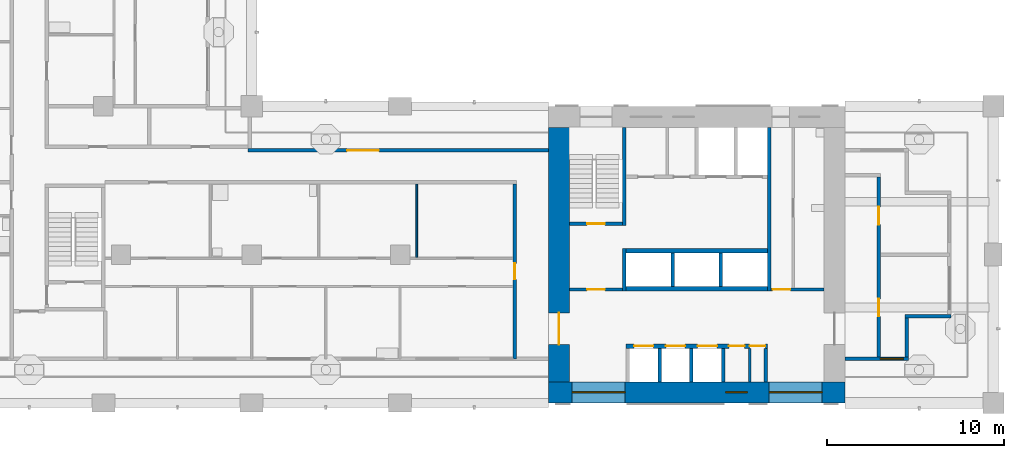
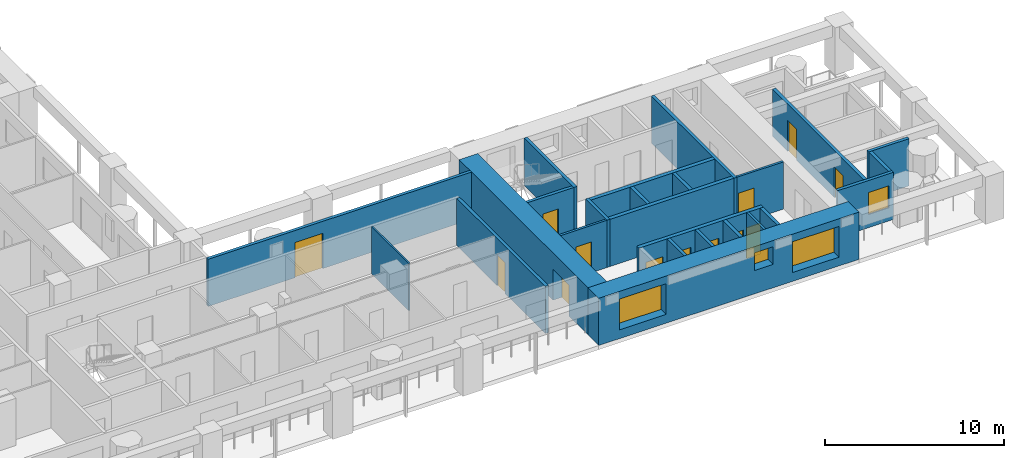
# One storey, part 5 of 18: 25 walls, 13 doors, 4 windows, 17 openings.
"""IFC4 building model written with IfcOpenShell, lengths in metres."""

from ifc_helpers import new_model, si_unit, direction, frame, frame_2d, origin, place, context, subcontext, project, spatial, rectangle, extrude, material, layer, layer_set, type_object, element, fill, save


model = new_model("IFC4")

# Units and contexts
model_context = context("Model", 3, precision=1e-05, world=origin(), true_north=direction((0.0, 1.0)))
body_context = subcontext(model_context, "Body", "Model", "MODEL_VIEW")
ifc_project = project(units=[si_unit("LENGTHUNIT", "METRE"), si_unit("AREAUNIT", "SQUARE_METRE"), si_unit("VOLUMEUNIT", "CUBIC_METRE"), si_unit("PLANEANGLEUNIT", "RADIAN"), si_unit("MASSUNIT", "GRAM", prefix="KILO")], contexts=[model_context])

# Site, building, storey
site_placement = place(None, origin())
site = spatial("IfcSite", under=ifc_project, at=site_placement, CompositionType="ELEMENT")
building_placement = place(site_placement, origin())
building = spatial("IfcBuilding", under=site, at=building_placement, Name="Vermilion Gate Residences", CompositionType="ELEMENT")
storey_placement = place(building_placement, frame((0.0, 0.0, 105.699951171875)))
storey = spatial("IfcBuildingStorey", under=building, at=storey_placement, Name="L26", CompositionType="ELEMENT", Elevation=105.699951171875)

# Wall
ifc_material_1 = material(Name="Masonry blockwork", Category="masonry")
ifc_layer_1 = layer(ifc_material_1, 0.14990234375)
ifc_layer_set_1 = layer_set([ifc_layer_1], Name="BLOCKWORK PARTITION 150 EI 120")
wall_type_1 = type_object("IfcWallType", Name="BLOCKWORK PARTITION 150 EI 120", PredefinedType="PARTITIONING", material=ifc_layer_set_1)
wall_1_placement = place(storey_placement, frame((53.407470703125, 9.60009765625, 0.0), z_axis=(0.0, 0.0, 1.0), x_axis=(0.0, 1.0, 0.0)))
element("IfcWall", 1, at=wall_1_placement, inside=storey, type_object=wall_type_1, Name="Core room partition A26-SR-P0", PredefinedType="PARTITIONING", context=body_context, shape_type="SweptSolid", body=[
    extrude(rectangle(XDim=1.89990234375, YDim=0.14990234375, at=frame_2d((0.949951171875, 0.0))), origin(), (0.0, 0.0, 1.0), 3.219970703125),
])

# Wall, opening, door
wall_2_placement = place(storey_placement, frame((43.199951171875, 14.824951171875, 0.0), z_axis=(0.0, 0.0, 1.0), x_axis=(1.0, 0.0, 0.0)))
wall_2 = element("IfcWall", 2, at=wall_2_placement, inside=storey, type_object=wall_type_1, Name="Core room partition A26-VW-S", PredefinedType="PARTITIONING", context=body_context, shape_type="SweptSolid", body=[
    extrude(rectangle(XDim=3.0, YDim=0.14990234375, at=frame_2d((1.5, 0.0))), origin(), (0.0, 0.0, 1.0), 3.219970703125),
])
opening_1_placement = place(wall_2_placement, frame((1.0, 0.0, 0.0)))
opening_1 = element("IfcOpeningElement", 3, at=opening_1_placement, cuts=wall_2, Name="Opening DK26012", PredefinedType="OPENING", context=body_context, shape_type="SweptSolid", body=[
    extrude(rectangle(XDim=1.0, YDim=2.10009765625, at=frame_2d((0.5, 1.050048828125))), frame((0.0, 0.0849609375, 0.0), z_axis=(0.0, -1.0, 0.0), x_axis=(1.0, 0.0, 0.0)), (0.0, 0.0, 1.0), 0.169921875),
])
ifc_material_2 = material(Name="Steel", Category="steel")
door_type_1 = type_object("IfcDoorType", Name="FIRE DOOR FD60 1000 X 2100", OperationType="SINGLE_SWING_LEFT", PredefinedType="DOOR", material=ifc_material_2)
door_1_placement = place(opening_1_placement, frame((1.0, 0.0, 0.0), z_axis=(0.0, 0.0, 1.0), x_axis=(-1.0, 0.0, 0.0)))
door_1 = element("IfcDoor", 4, at=door_1_placement, inside=storey, type_object=door_type_1, Name="Stair vestibule door A26", OperationType="SINGLE_SWING_RIGHT", OverallHeight=2.10009765625, OverallWidth=1.0, PredefinedType="DOOR", context=body_context, shape_type="SweptSolid", body=[
    extrude(rectangle(XDim=1.0, YDim=2.10009765625, at=frame_2d((0.5, 1.050048828125))), frame((0.0, 0.02490234375, 0.0), z_axis=(0.0, -1.0, 0.0), x_axis=(1.0, 0.0, 0.0)), (0.0, 0.0, 1.0), 0.050048828125),
])
fill(opening_1, door_1)

wall_3_placement = place(storey_placement, frame((54.60009765625, 14.824951171875, 0.0), z_axis=(0.0, 0.0, 1.0), x_axis=(1.0, 0.0, 0.0)))
wall_3 = element("IfcWall", 5, at=wall_3_placement, inside=storey, type_object=wall_type_1, Name="Core room partition A26-ES-S", PredefinedType="PARTITIONING", context=body_context, shape_type="SweptSolid", body=[
    extrude(rectangle(XDim=3.0, YDim=0.14990234375, at=frame_2d((1.5, 0.0))), origin(), (0.0, 0.0, 1.0), 3.219970703125),
])
opening_2_placement = place(wall_3_placement, frame((0.10009765625, 0.0, 0.0)))
opening_2 = element("IfcOpeningElement", 6, at=opening_2_placement, cuts=wall_3, Name="Opening DK26014", PredefinedType="OPENING", context=body_context, shape_type="SweptSolid", body=[
    extrude(rectangle(XDim=1.0, YDim=2.10009765625, at=frame_2d((0.5, 1.050048828125))), frame((0.0, 0.0849609375, 0.0), z_axis=(0.0, -1.0, 0.0), x_axis=(1.0, 0.0, 0.0)), (0.0, 0.0, 1.0), 0.169921875),
])
door_2_placement = place(opening_2_placement, frame((1.0, 0.0, 0.0), z_axis=(0.0, 0.0, 1.0), x_axis=(-1.0, 0.0, 0.0)))
door_2 = element("IfcDoor", 7, at=door_2_placement, inside=storey, type_object=door_type_1, Name="Service corridor door A26", OperationType="SINGLE_SWING_LEFT", OverallHeight=2.10009765625, OverallWidth=1.0, PredefinedType="DOOR", context=body_context, shape_type="SweptSolid", body=[
    extrude(rectangle(XDim=1.0, YDim=2.10009765625, at=frame_2d((0.5, 1.050048828125))), frame((0.0, 0.02490234375, 0.0), z_axis=(0.0, -1.0, 0.0), x_axis=(1.0, 0.0, 0.0)), (0.0, 0.0, 1.0), 0.050048828125),
])
fill(opening_2, door_2)

# Wall, opening, window
ifc_material_3 = material(Name="Insulated steel stud wall with terracotta rainscreen", Category="masonry")
ifc_layer_2 = layer(ifc_material_3, 0.199951171875)
ifc_layer_set_2 = layer_set([ifc_layer_2], Name="EXTERNAL WALL 200 TERRACOTTA RAINSCREEN")
wall_type_2 = type_object("IfcWallType", Name="EXTERNAL WALL 200 TERRACOTTA RAINSCREEN", PredefinedType="SOLIDWALL", material=ifc_layer_set_2)
wall_4_placement = place(storey_placement, frame((58.800048828125, 10.89990234375, 0.0), z_axis=(0.0, 0.0, 1.0), x_axis=(1.0, 0.0, 0.0)))
wall_4 = element("IfcWall", 8, at=wall_4_placement, inside=storey, type_object=wall_type_2, Name="External wall", PredefinedType="SOLIDWALL", context=body_context, shape_type="SweptSolid", body=[
    extrude(rectangle(XDim=3.599853515625, YDim=0.199951171875, at=frame_2d((1.7998046875, 0.0))), origin(), (0.0, 0.0, 1.0), 3.219970703125),
])
opening_3_placement = place(wall_4_placement, frame((2.0, 0.0, 0.89990234375)))
opening_3 = element("IfcOpeningElement", 9, at=opening_3_placement, cuts=wall_4, Name="Opening WE26020", PredefinedType="OPENING", context=body_context, shape_type="SweptSolid", body=[
    extrude(rectangle(XDim=1.300048828125, YDim=1.5, at=frame_2d((0.64990234375, 0.75))), frame((0.0, 0.10986328125, 0.0), z_axis=(0.0, -1.0, 0.0), x_axis=(1.0, 0.0, 0.0)), (0.0, 0.0, 1.0), 0.219970703125),
])
ifc_material_4 = material(Name="Aluminium and clear glass", Category="aluminium")
window_type_1 = type_object("IfcWindowType", Name="WINDOW 1300 X 1500", PartitioningType="SINGLE_PANEL", PredefinedType="WINDOW", material=ifc_material_4)
window_1_placement = place(opening_3_placement, origin())
window_1 = element("IfcWindow", 10, at=window_1_placement, inside=storey, type_object=window_type_1, Name="Window", OverallHeight=1.5, OverallWidth=1.300048828125, PartitioningType="SINGLE_PANEL", PredefinedType="WINDOW", context=body_context, shape_type="SweptSolid", body=[
    extrude(rectangle(XDim=1.300048828125, YDim=1.5, at=frame_2d((0.64990234375, 0.75))), frame((0.0, 0.030029296875, 0.0), z_axis=(0.0, -1.0, 0.0), x_axis=(1.0, 0.0, 0.0)), (0.0, 0.0, 1.0), 0.06005859375),
])
fill(opening_3, window_1)

# Walls
wall_5_placement = place(storey_placement, frame((62.300048828125, 11.0, 0.0), z_axis=(0.0, 0.0, 1.0), x_axis=(0.0, 1.0, 0.0)))
element("IfcWall", 11, at=wall_5_placement, inside=storey, type_object=wall_type_2, Name="External wall", PredefinedType="SOLIDWALL", context=body_context, shape_type="SweptSolid", body=[
    extrude(rectangle(XDim=2.199951171875, YDim=0.199951171875, at=frame_2d((1.10009765625, 0.0))), origin(), (0.0, 0.0, 1.0), 3.219970703125),
])
wall_6_placement = place(storey_placement, frame((62.199951171875, 13.300048828125, 0.0), z_axis=(0.0, 0.0, 1.0), x_axis=(1.0, 0.0, 0.0)))
element("IfcWall", 12, at=wall_6_placement, inside=storey, type_object=wall_type_2, Name="External wall", PredefinedType="SOLIDWALL", context=body_context, shape_type="SweptSolid", body=[
    extrude(rectangle(XDim=2.60009765625, YDim=0.199951171875, at=frame_2d((1.300048828125, 0.0))), origin(), (0.0, 0.0, 1.0), 3.219970703125),
])

# Wall, opening, door
wall_7_placement = place(storey_placement, frame((42.0, 22.699951171875, 0.0), z_axis=(0.0, 0.0, 1.0), x_axis=(-1.0, 0.0, 0.0)))
wall_7 = element("IfcWall", 13, at=wall_7_placement, inside=storey, type_object=wall_type_2, Name="External wall", PredefinedType="SOLIDWALL", context=body_context, shape_type="SweptSolid", body=[
    extrude(rectangle(XDim=17.0, YDim=0.199951171875, at=frame_2d((8.5, 0.0))), origin(), (0.0, 0.0, 1.0), 3.219970703125),
])
opening_4_placement = place(wall_7_placement, frame((9.60009765625, 0.0, 0.0)))
opening_4 = element("IfcOpeningElement", 14, at=opening_4_placement, cuts=wall_7, Name="Opening DE26029", PredefinedType="OPENING", context=body_context, shape_type="SweptSolid", body=[
    extrude(rectangle(XDim=1.800048828125, YDim=2.39990234375, at=frame_2d((0.89990234375, 1.199951171875))), frame((0.0, 0.10986328125, 0.0), z_axis=(0.0, -1.0, 0.0), x_axis=(1.0, 0.0, 0.0)), (0.0, 0.0, 1.0), 0.219970703125),
])
ifc_material_5 = material(Name="Aluminium and clear glass", Category="aluminium")
door_type_2 = type_object("IfcDoorType", Name="GLAZED EXTERNAL DOOR 1800 X 2400", OperationType="DOUBLE_DOOR_SINGLE_SWING", PredefinedType="DOOR", material=ifc_material_5)
door_3_placement = place(opening_4_placement, frame((1.800048828125, 0.0, 0.0), z_axis=(0.0, 0.0, 1.0), x_axis=(-1.0, 0.0, 0.0)))
door_3 = element("IfcDoor", 15, at=door_3_placement, inside=storey, type_object=door_type_2, Name="Gallery door", OperationType="DOUBLE_DOOR_SINGLE_SWING", OverallHeight=2.39990234375, OverallWidth=1.800048828125, PredefinedType="DOOR", context=body_context, shape_type="SweptSolid", body=[
    extrude(rectangle(XDim=1.800048828125, YDim=2.39990234375, at=frame_2d((0.89990234375, 1.199951171875))), frame((0.0, 0.02490234375, 0.0), z_axis=(0.0, -1.0, 0.0), x_axis=(1.0, 0.0, 0.0)), (0.0, 0.0, 1.0), 0.050048828125),
])
fill(opening_4, door_3)

# Wall
ifc_material_6 = material(Name="Plasterboard on steel studs", Category="steel")
ifc_layer_3 = layer(ifc_material_6, 0.10009765625)
ifc_layer_set_3 = layer_set([ifc_layer_3], Name="PARTITION 100")
wall_type_3 = type_object("IfcWallType", Name="PARTITION 100", PredefinedType="PARTITIONING", material=ifc_layer_set_3)
wall_8_placement = place(storey_placement, frame((34.550048828125, 16.64990234375, 0.0), z_axis=(0.0, 0.0, 1.0), x_axis=(0.0, 1.0, 0.0)))
element("IfcWall", 16, at=wall_8_placement, inside=storey, type_object=wall_type_3, Name="Partition", PredefinedType="PARTITIONING", context=body_context, shape_type="SweptSolid", body=[
    extrude(rectangle(XDim=4.150146484375, YDim=0.10009765625, at=frame_2d((2.0751953125, 0.0))), origin(), (0.0, 0.0, 1.0), 3.219970703125),
])

# Wall, opening, door
ifc_material_7 = material(Name="Fire-rated plasterboard on steel studs", Category="steel")
ifc_layer_4 = layer(ifc_material_7, 0.199951171875)
ifc_layer_set_4 = layer_set([ifc_layer_4], Name="PARTY WALL 200 EI 120")
wall_type_4 = type_object("IfcWallType", Name="PARTY WALL 200 EI 120", PredefinedType="PARTITIONING", material=ifc_layer_set_4)
wall_9_placement = place(storey_placement, frame((40.10009765625, 10.89990234375, 0.0), z_axis=(0.0, 0.0, 1.0), x_axis=(0.0, 1.0, 0.0)))
wall_9 = element("IfcWall", 17, at=wall_9_placement, inside=storey, type_object=wall_type_4, Name="Party and corridor wall", PredefinedType="PARTITIONING", context=body_context, shape_type="SweptSolid", body=[
    extrude(rectangle(XDim=9.900146484375, YDim=0.199951171875, at=frame_2d((4.9501953125, 0.0))), origin(), (0.0, 0.0, 1.0), 3.219970703125),
])
opening_5_placement = place(wall_9_placement, frame((4.5, 0.0, 0.0)))
opening_5 = element("IfcOpeningElement", 18, at=opening_5_placement, cuts=wall_9, Name="Opening DA25041", PredefinedType="OPENING", context=body_context, shape_type="SweptSolid", body=[
    extrude(rectangle(XDim=0.89990234375, YDim=2.10009765625, at=frame_2d((0.449951171875, 1.050048828125))), frame((0.0, 0.10986328125, 0.0), z_axis=(0.0, -1.0, 0.0), x_axis=(1.0, 0.0, 0.0)), (0.0, 0.0, 1.0), 0.219970703125),
])
ifc_material_8 = material(Name="Timber", Category="wood")
door_type_3 = type_object("IfcDoorType", Name="INTERIOR DOOR 900 X 2100", OperationType="SINGLE_SWING_LEFT", PredefinedType="DOOR", material=ifc_material_8)
door_4_placement = place(opening_5_placement, origin())
door_4 = element("IfcDoor", 19, at=door_4_placement, inside=storey, type_object=door_type_3, Name="Interior door", OperationType="SINGLE_SWING_RIGHT", OverallHeight=2.10009765625, OverallWidth=0.89990234375, PredefinedType="DOOR", context=body_context, shape_type="SweptSolid", body=[
    extrude(rectangle(XDim=0.89990234375, YDim=2.10009765625, at=frame_2d((0.449951171875, 1.050048828125))), frame((0.0, 0.02490234375, 0.0), z_axis=(0.0, -1.0, 0.0), x_axis=(1.0, 0.0, 0.0)), (0.0, 0.0, 1.0), 0.050048828125),
])
fill(opening_5, door_4)

# Wall, openings, doors
wall_10_placement = place(storey_placement, frame((60.699951171875, 10.89990234375, 0.0), z_axis=(0.0, 0.0, 1.0), x_axis=(0.0, 1.0, 0.0)))
wall_10 = element("IfcWall", 20, at=wall_10_placement, inside=storey, type_object=wall_type_4, Name="Party and corridor wall", PredefinedType="PARTITIONING", context=body_context, shape_type="SweptSolid", body=[
    extrude(rectangle(XDim=10.300048828125, YDim=0.199951171875, at=frame_2d((5.14990234375, 0.0))), origin(), (0.0, 0.0, 1.0), 3.219970703125),
])
opening_6_placement = place(wall_10_placement, frame((2.39990234375, 0.0, 0.0)))
opening_6 = element("IfcOpeningElement", 21, at=opening_6_placement, cuts=wall_10, Name="Opening DA25042", PredefinedType="OPENING", context=body_context, shape_type="SweptSolid", body=[
    extrude(rectangle(XDim=1.0, YDim=2.10009765625, at=frame_2d((0.5, 1.050048828125))), frame((0.0, 0.10986328125, 0.0), z_axis=(0.0, -1.0, 0.0), x_axis=(1.0, 0.0, 0.0)), (0.0, 0.0, 1.0), 0.219970703125),
])
opening_7_placement = place(wall_10_placement, frame((7.60009765625, 0.0, 0.0)))
opening_7 = element("IfcOpeningElement", 22, at=opening_7_placement, cuts=wall_10, Name="Opening DA25043", PredefinedType="OPENING", context=body_context, shape_type="SweptSolid", body=[
    extrude(rectangle(XDim=1.0, YDim=2.10009765625, at=frame_2d((0.5, 1.050048828125))), frame((0.0, 0.10986328125, 0.0), z_axis=(0.0, -1.0, 0.0), x_axis=(1.0, 0.0, 0.0)), (0.0, 0.0, 1.0), 0.219970703125),
])
ifc_material_9 = material(Name="Steel", Category="steel")
door_type_4 = type_object("IfcDoorType", Name="ENTRANCE DOOR 1000 X 2100 FD30", OperationType="SINGLE_SWING_LEFT", PredefinedType="DOOR", material=ifc_material_9)
door_5_placement = place(opening_6_placement, frame((1.0, 0.0, 0.0), z_axis=(0.0, 0.0, 1.0), x_axis=(-1.0, 0.0, 0.0)))
door_5 = element("IfcDoor", 23, at=door_5_placement, inside=storey, type_object=door_type_4, Name="Entrance door", OperationType="SINGLE_SWING_RIGHT", OverallHeight=2.10009765625, OverallWidth=1.0, PredefinedType="DOOR", context=body_context, shape_type="SweptSolid", body=[
    extrude(rectangle(XDim=1.0, YDim=2.10009765625, at=frame_2d((0.5, 1.050048828125))), frame((0.0, 0.02490234375, 0.0), z_axis=(0.0, -1.0, 0.0), x_axis=(1.0, 0.0, 0.0)), (0.0, 0.0, 1.0), 0.050048828125),
])
fill(opening_6, door_5)
door_6_placement = place(opening_7_placement, frame((1.0, 0.0, 0.0), z_axis=(0.0, 0.0, 1.0), x_axis=(-1.0, 0.0, 0.0)))
door_6 = element("IfcDoor", 24, at=door_6_placement, inside=storey, type_object=door_type_4, Name="Entrance door", OperationType="SINGLE_SWING_RIGHT", OverallHeight=2.10009765625, OverallWidth=1.0, PredefinedType="DOOR", context=body_context, shape_type="SweptSolid", body=[
    extrude(rectangle(XDim=1.0, YDim=2.10009765625, at=frame_2d((0.5, 1.050048828125))), frame((0.0, 0.02490234375, 0.0), z_axis=(0.0, -1.0, 0.0), x_axis=(1.0, 0.0, 0.0)), (0.0, 0.0, 1.0), 0.050048828125),
])
fill(opening_7, door_6)

# Walls
ifc_material_10 = material(Name="Concrete C60", Category="concrete")
ifc_layer_5 = layer(ifc_material_10, 0.199951171875)
ifc_layer_set_5 = layer_set([ifc_layer_5], Name="RC CORE INTERNAL WALL 200 C60")
wall_type_5 = type_object("IfcWallType", Name="RC CORE INTERNAL WALL 200 C60", PredefinedType="SHEAR", material=ifc_layer_set_5)
for number, where, z_axis, x_axis, name in (
    (25, (48.300048828125, 9.60009765625, 0.0), (0.0, 0.0, 1.0), (0.0, 1.0, 0.0), "Core internal wall A26-LR-D1"),
    (26, (50.10009765625, 9.60009765625, 0.0), (0.0, 0.0, 1.0), (0.0, 1.0, 0.0), "Core internal wall A26-LR-D2"),
    (27, (51.89990234375, 9.60009765625, 0.0), (0.0, 0.0, 1.0), (0.0, 1.0, 0.0), "Core internal wall A26-LR-D3"),
    (28, (54.300048828125, 9.60009765625, 0.0), (0.0, 0.0, 1.0), (0.0, 1.0, 0.0), "Core internal wall A26-LR-DE"),
    (29, (49.033447265625, 15.0, 0.0), (0.0, 0.0, 1.0), (0.0, 1.0, 0.0), "Core internal wall A26-HR-D1"),
    (30, (51.7666015625, 15.0, 0.0), (0.0, 0.0, 1.0), (0.0, 1.0, 0.0), "Core internal wall A26-HR-D2"),
):
    element("IfcWall", number, at=place(storey_placement, frame(where, z_axis=z_axis, x_axis=x_axis)), inside=storey, type_object=wall_type_5, Name=name, PredefinedType="SHEAR", context=body_context, shape_type="SweptSolid", body=[
        extrude(rectangle(XDim=1.89990234375, YDim=0.199951171875, at=frame_2d((0.949951171875, 0.0))), origin(), (0.0, 0.0, 1.0), 3.219970703125),
    ])
wall_11_placement = place(storey_placement, frame((46.300048828125, 14.75, 0.0), z_axis=(0.0, 0.0, 1.0), x_axis=(0.0, 1.0, 0.0)))
element("IfcWall", 31, at=wall_11_placement, inside=storey, type_object=wall_type_5, Name="Core internal wall A26-WDIV1", PredefinedType="SHEAR", context=body_context, shape_type="SweptSolid", body=[
    extrude(rectangle(XDim=2.39990234375, YDim=0.199951171875, at=frame_2d((1.199951171875, 0.0))), origin(), (0.0, 0.0, 1.0), 3.219970703125),
])
wall_12_placement = place(storey_placement, frame((46.300048828125, 18.449951171875, 0.0), z_axis=(0.0, 0.0, 1.0), x_axis=(0.0, 1.0, 0.0)))
element("IfcWall", 32, at=wall_12_placement, inside=storey, type_object=wall_type_5, Name="Core internal wall A26-WDIV2", PredefinedType="SHEAR", context=body_context, shape_type="SweptSolid", body=[
    extrude(rectangle(XDim=5.550048828125, YDim=0.199951171875, at=frame_2d((2.77490234375, 0.0))), origin(), (0.0, 0.0, 1.0), 3.219970703125),
])

# Wall, opening, door
wall_13_placement = place(storey_placement, frame((43.199951171875, 18.550048828125, 0.0), z_axis=(0.0, 0.0, 1.0), x_axis=(1.0, 0.0, 0.0)))
wall_13 = element("IfcWall", 33, at=wall_13_placement, inside=storey, type_object=wall_type_5, Name="Core internal wall A26-STW-S", PredefinedType="SHEAR", context=body_context, shape_type="SweptSolid", body=[
    extrude(rectangle(XDim=3.0, YDim=0.199951171875, at=frame_2d((1.5, 0.0))), origin(), (0.0, 0.0, 1.0), 3.219970703125),
])
opening_8_placement = place(wall_13_placement, frame((1.0, 0.0, 0.0)))
opening_8 = element("IfcOpeningElement", 34, at=opening_8_placement, cuts=wall_13, Name="Opening DK26013", PredefinedType="OPENING", context=body_context, shape_type="SweptSolid", body=[
    extrude(rectangle(XDim=1.0, YDim=2.10009765625, at=frame_2d((0.5, 1.050048828125))), frame((0.0, 0.10986328125, 0.0), z_axis=(0.0, -1.0, 0.0), x_axis=(1.0, 0.0, 0.0)), (0.0, 0.0, 1.0), 0.219970703125),
])
door_7_placement = place(opening_8_placement, origin())
door_7 = element("IfcDoor", 35, at=door_7_placement, inside=storey, type_object=door_type_1, Name="Stair door A26", OperationType="SINGLE_SWING_LEFT", OverallHeight=2.10009765625, OverallWidth=1.0, PredefinedType="DOOR", context=body_context, shape_type="SweptSolid", body=[
    extrude(rectangle(XDim=1.0, YDim=2.10009765625, at=frame_2d((0.5, 1.050048828125))), frame((0.0, 0.02490234375, 0.0), z_axis=(0.0, -1.0, 0.0), x_axis=(1.0, 0.0, 0.0)), (0.0, 0.0, 1.0), 0.050048828125),
])
fill(opening_8, door_7)

# Wall
wall_14_placement = place(storey_placement, frame((54.5, 14.75, 0.0), z_axis=(0.0, 0.0, 1.0), x_axis=(0.0, 1.0, 0.0)))
element("IfcWall", 36, at=wall_14_placement, inside=storey, type_object=wall_type_5, Name="Core internal wall A26-EDIV", PredefinedType="SHEAR", context=body_context, shape_type="SweptSolid", body=[
    extrude(rectangle(XDim=9.25, YDim=0.199951171875, at=frame_2d((4.625, 0.0))), origin(), (0.0, 0.0, 1.0), 3.219970703125),
])

# Wall, opening, door
ifc_material_11 = material(Name="Concrete C70", Category="concrete")
ifc_layer_6 = layer(ifc_material_11, 1.199951171875)
ifc_layer_set_6 = layer_set([ifc_layer_6], Name="RC CORE WALL 1200 C70")
wall_type_6 = type_object("IfcWallType", Name="RC CORE WALL 1200 C70", PredefinedType="SHEAR", material=ifc_layer_set_6)
wall_15_placement = place(storey_placement, frame((42.60009765625, 9.60009765625, 0.0), z_axis=(0.0, 0.0, 1.0), x_axis=(0.0, 1.0, 0.0)))
wall_15 = element("IfcWall", 37, at=wall_15_placement, inside=storey, type_object=wall_type_6, Name="Core wall A26-OUT-FR", PredefinedType="SHEAR", context=body_context, shape_type="SweptSolid", body=[
    extrude(rectangle(XDim=14.39990234375, YDim=1.199951171875, at=frame_2d((7.199951171875, 0.0))), origin(), (0.0, 0.0, 1.0), 3.219970703125),
])
opening_9_placement = place(wall_15_placement, frame((2.10009765625, 0.0, 0.0)))
opening_9 = element("IfcOpeningElement", 38, at=opening_9_placement, cuts=wall_15, Name="Opening DK26001", PredefinedType="OPENING", context=body_context, shape_type="SweptSolid", body=[
    extrude(rectangle(XDim=1.800048828125, YDim=2.10009765625, at=frame_2d((0.89990234375, 1.050048828125))), frame((0.0, 0.60986328125, 0.0), z_axis=(0.0, -1.0, 0.0), x_axis=(1.0, 0.0, 0.0)), (0.0, 0.0, 1.0), 1.219970703125),
])
ifc_material_12 = material(Name="Steel", Category="steel")
door_type_5 = type_object("IfcDoorType", Name="CORE LOBBY DOOR FD60 1800 X 2100", OperationType="DOUBLE_DOOR_SINGLE_SWING", PredefinedType="DOOR", material=ifc_material_12)
door_8_placement = place(opening_9_placement, frame((1.800048828125, 0.0, 0.0), z_axis=(0.0, 0.0, 1.0), x_axis=(-1.0, 0.0, 0.0)))
door_8 = element("IfcDoor", 39, at=door_8_placement, inside=storey, type_object=door_type_5, Name="Core lobby door A26", OperationType="DOUBLE_DOOR_SINGLE_SWING", OverallHeight=2.10009765625, OverallWidth=1.800048828125, PredefinedType="DOOR", context=body_context, shape_type="SweptSolid", body=[
    extrude(rectangle(XDim=1.800048828125, YDim=2.10009765625, at=frame_2d((0.89990234375, 1.050048828125))), frame((0.0, 0.02490234375, 0.0), z_axis=(0.0, -1.0, 0.0), x_axis=(1.0, 0.0, 0.0)), (0.0, 0.0, 1.0), 0.050048828125),
])
fill(opening_9, door_8)

# Wall, openings, windows
ifc_material_13 = material(Name="Concrete C70 red-oxide pigmented", Category="concrete")
ifc_layer_7 = layer(ifc_material_13, 1.199951171875)
ifc_layer_set_7 = layer_set([ifc_layer_7], Name="RC CORE WALL 1200 C70 RED OXIDE")
wall_type_7 = type_object("IfcWallType", Name="RC CORE WALL 1200 C70 RED OXIDE", PredefinedType="SHEAR", material=ifc_layer_set_7)
wall_16_placement = place(storey_placement, frame((42.0, 9.0, 0.0), z_axis=(0.0, 0.0, 1.0), x_axis=(1.0, 0.0, 0.0)))
wall_16 = element("IfcWall", 40, at=wall_16_placement, inside=storey, type_object=wall_type_7, Name="Core wall A26-OUT-B0", PredefinedType="SHEAR", context=body_context, shape_type="SweptSolid", body=[
    extrude(rectangle(XDim=16.800048828125, YDim=1.199951171875, at=frame_2d((8.39990234375, 0.0))), origin(), (0.0, 0.0, 1.0), 3.219970703125),
])
opening_10_placement = place(wall_16_placement, frame((1.35009765625, 0.0, 0.60009765625)))
opening_10 = element("IfcOpeningElement", 41, at=opening_10_placement, cuts=wall_16, Name="Opening WKA2601", PredefinedType="OPENING", context=body_context, shape_type="SweptSolid", body=[
    extrude(rectangle(XDim=3.0, YDim=2.10009765625, at=frame_2d((1.5, 1.050048828125))), frame((0.0, 0.60986328125, 0.0), z_axis=(0.0, -1.0, 0.0), x_axis=(1.0, 0.0, 0.0)), (0.0, 0.0, 1.0), 1.219970703125),
])
opening_11_placement = place(wall_16_placement, frame((10.050048828125, 0.0, 1.60009765625)))
opening_11 = element("IfcOpeningElement", 42, at=opening_11_placement, cuts=wall_16, Name="Opening WKA2602", PredefinedType="OPENING", context=body_context, shape_type="SweptSolid", body=[
    extrude(rectangle(XDim=1.199951171875, YDim=1.199951171875, at=frame_2d((0.60009765625, 0.60009765625))), frame((0.0, 0.60986328125, 0.0), z_axis=(0.0, -1.0, 0.0), x_axis=(1.0, 0.0, 0.0)), (0.0, 0.0, 1.0), 1.219970703125),
])
opening_12_placement = place(wall_16_placement, frame((12.5, 0.0, 0.60009765625)))
opening_12 = element("IfcOpeningElement", 43, at=opening_12_placement, cuts=wall_16, Name="Opening WKA2603", PredefinedType="OPENING", context=body_context, shape_type="SweptSolid", body=[
    extrude(rectangle(XDim=3.0, YDim=2.10009765625, at=frame_2d((1.5, 1.050048828125))), frame((0.0, 0.60986328125, 0.0), z_axis=(0.0, -1.0, 0.0), x_axis=(1.0, 0.0, 0.0)), (0.0, 0.0, 1.0), 1.219970703125),
])
ifc_material_14 = material(Name="Aluminium and clear glass", Category="aluminium")
window_type_2 = type_object("IfcWindowType", Name="CORE LOBBY WINDOW 3000 X 2100", PartitioningType="SINGLE_PANEL", PredefinedType="WINDOW", material=ifc_material_14)
window_2_placement = place(opening_10_placement, origin())
window_2 = element("IfcWindow", 44, at=window_2_placement, inside=storey, type_object=window_type_2, Name="Core lobby window", OverallHeight=2.10009765625, OverallWidth=3.0, PartitioningType="SINGLE_PANEL", PredefinedType="WINDOW", context=body_context, shape_type="SweptSolid", body=[
    extrude(rectangle(XDim=3.0, YDim=2.10009765625, at=frame_2d((1.5, 1.050048828125))), frame((0.0, 0.030029296875, 0.0), z_axis=(0.0, -1.0, 0.0), x_axis=(1.0, 0.0, 0.0)), (0.0, 0.0, 1.0), 0.06005859375),
])
fill(opening_10, window_2)
window_3_placement = place(opening_12_placement, origin())
window_3 = element("IfcWindow", 45, at=window_3_placement, inside=storey, type_object=window_type_2, Name="Core lobby window", OverallHeight=2.10009765625, OverallWidth=3.0, PartitioningType="SINGLE_PANEL", PredefinedType="WINDOW", context=body_context, shape_type="SweptSolid", body=[
    extrude(rectangle(XDim=3.0, YDim=2.10009765625, at=frame_2d((1.5, 1.050048828125))), frame((0.0, 0.030029296875, 0.0), z_axis=(0.0, -1.0, 0.0), x_axis=(1.0, 0.0, 0.0)), (0.0, 0.0, 1.0), 0.06005859375),
])
fill(opening_12, window_3)
ifc_material_15 = material(Name="Aluminium frame with louvre blades", Category="aluminium")
window_type_3 = type_object("IfcWindowType", Name="CORE LOUVRE 1200 X 1200", PartitioningType="SINGLE_PANEL", PredefinedType="WINDOW", material=ifc_material_15)
window_4_placement = place(opening_11_placement, origin())
window_4 = element("IfcWindow", 46, at=window_4_placement, inside=storey, type_object=window_type_3, Name="Core louvre", OverallHeight=1.199951171875, OverallWidth=1.199951171875, PartitioningType="SINGLE_PANEL", PredefinedType="WINDOW", context=body_context, shape_type="SweptSolid", body=[
    extrude(rectangle(XDim=1.199951171875, YDim=1.199951171875, at=frame_2d((0.60009765625, 0.60009765625))), frame((0.0, 0.030029296875, 0.0), z_axis=(0.0, -1.0, 0.0), x_axis=(1.0, 0.0, 0.0)), (0.0, 0.0, 1.0), 0.06005859375),
])
fill(opening_11, window_4)

# Wall, openings, doors
ifc_material_16 = material(Name="Concrete C60", Category="concrete")
ifc_layer_8 = layer(ifc_material_16, 0.25)
ifc_layer_set_8 = layer_set([ifc_layer_8], Name="RC LIFT SHAFT WALL 250 C60")
wall_type_8 = type_object("IfcWallType", Name="RC LIFT SHAFT WALL 250 C60", PredefinedType="SHEAR", material=ifc_layer_set_8)
wall_17_placement = place(storey_placement, frame((46.39990234375, 11.625, 0.0), z_axis=(0.0, 0.0, 1.0), x_axis=(1.0, 0.0, 0.0)))
wall_17 = element("IfcWall", 47, at=wall_17_placement, inside=storey, type_object=wall_type_8, Name="Lift shaft wall A26-LR-F", PredefinedType="SHEAR", context=body_context, shape_type="SweptSolid", body=[
    extrude(rectangle(XDim=8.0, YDim=0.25, at=frame_2d((4.0, 0.0))), origin(), (0.0, 0.0, 1.0), 3.219970703125),
])
opening_13_placement = place(wall_17_placement, frame((0.449951171875, 0.0, 0.0)))
opening_13 = element("IfcOpeningElement", 48, at=opening_13_placement, cuts=wall_17, Name="Opening LD", PredefinedType="OPENING", context=body_context, shape_type="SweptSolid", body=[
    extrude(rectangle(XDim=1.10009765625, YDim=2.10009765625, at=frame_2d((0.550048828125, 1.050048828125))), frame((0.0, 0.135009765625, 0.0), z_axis=(0.0, -1.0, 0.0), x_axis=(1.0, 0.0, 0.0)), (0.0, 0.0, 1.0), 0.27001953125),
])
opening_14_placement = place(wall_17_placement, frame((2.25, 0.0, 0.0)))
opening_14 = element("IfcOpeningElement", 49, at=opening_14_placement, cuts=wall_17, Name="Opening LD", PredefinedType="OPENING", context=body_context, shape_type="SweptSolid", body=[
    extrude(rectangle(XDim=1.10009765625, YDim=2.10009765625, at=frame_2d((0.550048828125, 1.050048828125))), frame((0.0, 0.135009765625, 0.0), z_axis=(0.0, -1.0, 0.0), x_axis=(1.0, 0.0, 0.0)), (0.0, 0.0, 1.0), 0.27001953125),
])
opening_15_placement = place(wall_17_placement, frame((4.050048828125, 0.0, 0.0)))
opening_15 = element("IfcOpeningElement", 50, at=opening_15_placement, cuts=wall_17, Name="Opening LD", PredefinedType="OPENING", context=body_context, shape_type="SweptSolid", body=[
    extrude(rectangle(XDim=1.10009765625, YDim=2.10009765625, at=frame_2d((0.550048828125, 1.050048828125))), frame((0.0, 0.135009765625, 0.0), z_axis=(0.0, -1.0, 0.0), x_axis=(1.0, 0.0, 0.0)), (0.0, 0.0, 1.0), 0.27001953125),
])
opening_16_placement = place(wall_17_placement, frame((5.816162109375, 0.0, 0.0)))
opening_16 = element("IfcOpeningElement", 51, at=opening_16_placement, cuts=wall_17, Name="Opening DK26006", PredefinedType="OPENING", context=body_context, shape_type="SweptSolid", body=[
    extrude(rectangle(XDim=0.89990234375, YDim=2.10009765625, at=frame_2d((0.449951171875, 1.050048828125))), frame((0.0, 0.135009765625, 0.0), z_axis=(0.0, -1.0, 0.0), x_axis=(1.0, 0.0, 0.0)), (0.0, 0.0, 1.0), 0.27001953125),
])
opening_17_placement = place(wall_17_placement, frame((6.9912109375, 0.0, 0.0)))
opening_17 = element("IfcOpeningElement", 52, at=opening_17_placement, cuts=wall_17, Name="Opening DK26007", PredefinedType="OPENING", context=body_context, shape_type="SweptSolid", body=[
    extrude(rectangle(XDim=0.89990234375, YDim=2.10009765625, at=frame_2d((0.449951171875, 1.050048828125))), frame((0.0, 0.135009765625, 0.0), z_axis=(0.0, -1.0, 0.0), x_axis=(1.0, 0.0, 0.0)), (0.0, 0.0, 1.0), 0.27001953125),
])
ifc_material_17 = material(Name="Stainless steel", Category="steel")
door_type_6 = type_object("IfcDoorType", Name="LIFT LANDING DOOR E60 1100 X 2100", OperationType="DOUBLE_DOOR_SLIDING", PredefinedType="DOOR", material=ifc_material_17)
door_9_placement = place(opening_13_placement, origin())
door_9 = element("IfcDoor", 53, at=door_9_placement, inside=storey, type_object=door_type_6, Name="Lift landing door LRA1", OperationType="DOUBLE_DOOR_SLIDING", OverallHeight=2.10009765625, OverallWidth=1.10009765625, PredefinedType="DOOR", context=body_context, shape_type="SweptSolid", body=[
    extrude(rectangle(XDim=1.10009765625, YDim=2.10009765625, at=frame_2d((0.550048828125, 1.050048828125))), frame((0.0, 0.02490234375, 0.0), z_axis=(0.0, -1.0, 0.0), x_axis=(1.0, 0.0, 0.0)), (0.0, 0.0, 1.0), 0.050048828125),
])
fill(opening_13, door_9)
door_10_placement = place(opening_14_placement, origin())
door_10 = element("IfcDoor", 54, at=door_10_placement, inside=storey, type_object=door_type_6, Name="Lift landing door LRA2", OperationType="DOUBLE_DOOR_SLIDING", OverallHeight=2.10009765625, OverallWidth=1.10009765625, PredefinedType="DOOR", context=body_context, shape_type="SweptSolid", body=[
    extrude(rectangle(XDim=1.10009765625, YDim=2.10009765625, at=frame_2d((0.550048828125, 1.050048828125))), frame((0.0, 0.02490234375, 0.0), z_axis=(0.0, -1.0, 0.0), x_axis=(1.0, 0.0, 0.0)), (0.0, 0.0, 1.0), 0.050048828125),
])
fill(opening_14, door_10)
door_11_placement = place(opening_15_placement, origin())
door_11 = element("IfcDoor", 55, at=door_11_placement, inside=storey, type_object=door_type_6, Name="Lift landing door LRA3", OperationType="DOUBLE_DOOR_SLIDING", OverallHeight=2.10009765625, OverallWidth=1.10009765625, PredefinedType="DOOR", context=body_context, shape_type="SweptSolid", body=[
    extrude(rectangle(XDim=1.10009765625, YDim=2.10009765625, at=frame_2d((0.550048828125, 1.050048828125))), frame((0.0, 0.02490234375, 0.0), z_axis=(0.0, -1.0, 0.0), x_axis=(1.0, 0.0, 0.0)), (0.0, 0.0, 1.0), 0.050048828125),
])
fill(opening_15, door_11)
ifc_material_18 = material(Name="Steel", Category="steel")
door_type_7 = type_object("IfcDoorType", Name="SERVICE ROOM DOOR FD60 900 X 2100", OperationType="SINGLE_SWING_LEFT", PredefinedType="DOOR", material=ifc_material_18)
door_12_placement = place(opening_16_placement, frame((0.89990234375, 0.0, 0.0), z_axis=(0.0, 0.0, 1.0), x_axis=(-1.0, 0.0, 0.0)))
door_12 = element("IfcDoor", 56, at=door_12_placement, inside=storey, type_object=door_type_7, Name="Housekeeping store A26", OperationType="SINGLE_SWING_LEFT", OverallHeight=2.10009765625, OverallWidth=0.89990234375, PredefinedType="DOOR", context=body_context, shape_type="SweptSolid", body=[
    extrude(rectangle(XDim=0.89990234375, YDim=2.10009765625, at=frame_2d((0.449951171875, 1.050048828125))), frame((0.0, 0.02490234375, 0.0), z_axis=(0.0, -1.0, 0.0), x_axis=(1.0, 0.0, 0.0)), (0.0, 0.0, 1.0), 0.050048828125),
])
fill(opening_16, door_12)
door_13_placement = place(opening_17_placement, origin())
door_13 = element("IfcDoor", 57, at=door_13_placement, inside=storey, type_object=door_type_7, Name="Fire equipment store A26", OperationType="SINGLE_SWING_LEFT", OverallHeight=2.10009765625, OverallWidth=0.89990234375, PredefinedType="DOOR", context=body_context, shape_type="SweptSolid", body=[
    extrude(rectangle(XDim=0.89990234375, YDim=2.10009765625, at=frame_2d((0.449951171875, 1.050048828125))), frame((0.0, 0.02490234375, 0.0), z_axis=(0.0, -1.0, 0.0), x_axis=(1.0, 0.0, 0.0)), (0.0, 0.0, 1.0), 0.050048828125),
])
fill(opening_17, door_13)

# Walls
for number, where, z_axis, x_axis, name in (
    (58, (46.39990234375, 14.875, 0.0), (0.0, 0.0, 1.0), (1.0, 0.0, 0.0), "Lift shaft wall A26-HR-F"),
    (59, (46.39990234375, 17.02490234375, 0.0), (0.0, 0.0, 1.0), (1.0, 0.0, 0.0), "Lift shaft wall A26-HR-B"),
):
    element("IfcWall", number, at=place(storey_placement, frame(where, z_axis=z_axis, x_axis=x_axis)), inside=storey, type_object=wall_type_8, Name=name, PredefinedType="SHEAR", context=body_context, shape_type="SweptSolid", body=[
        extrude(rectangle(XDim=8.0, YDim=0.25, at=frame_2d((4.0, 0.0))), origin(), (0.0, 0.0, 1.0), 3.219970703125),
    ])

save(model, "model.ifc")
